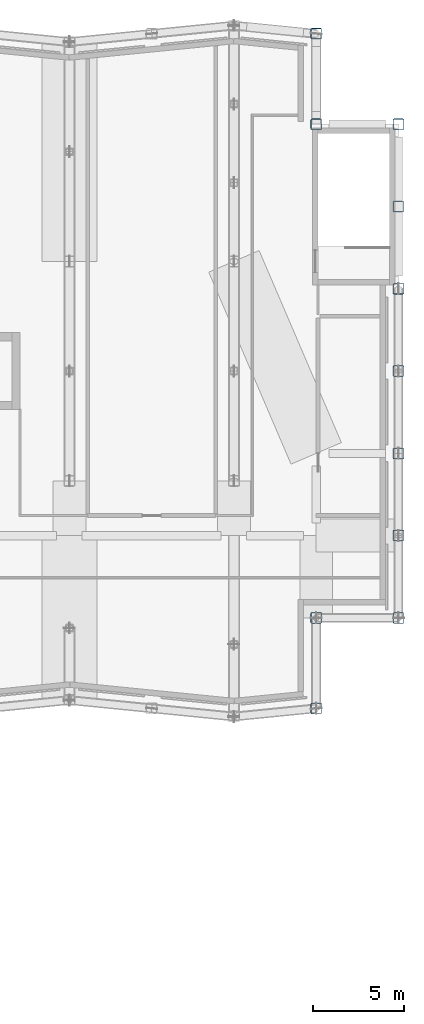
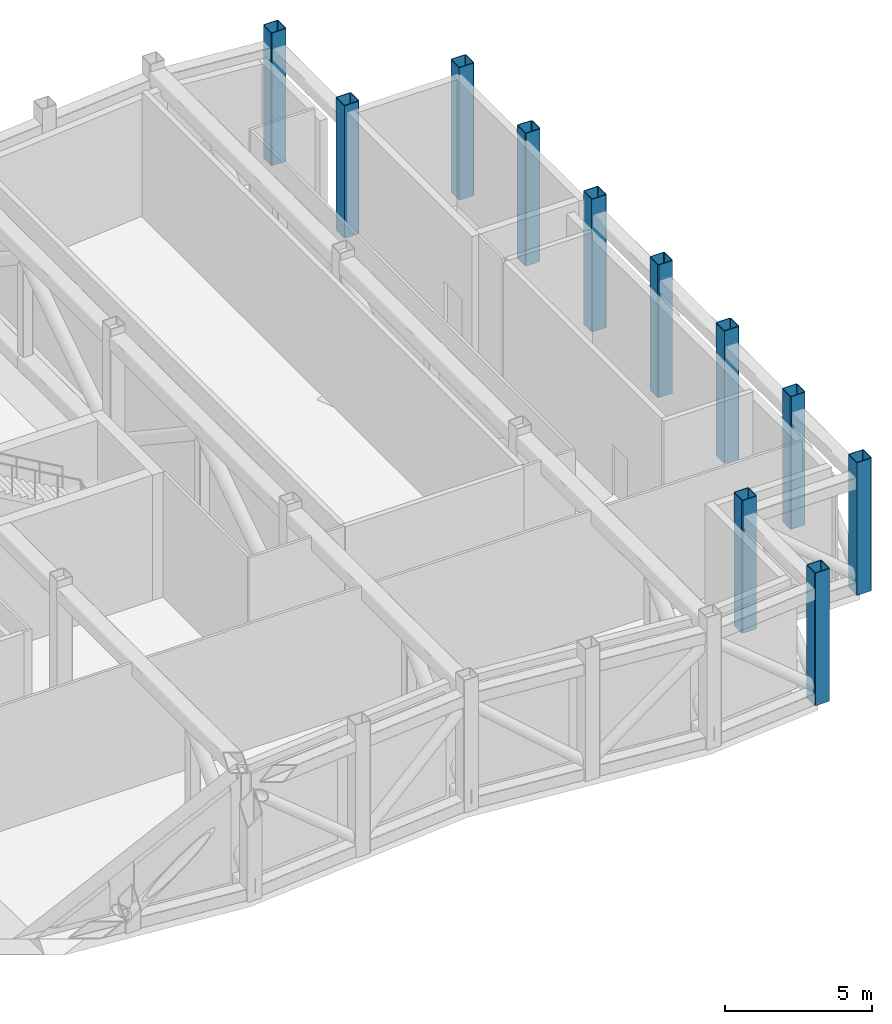
# One storey, part 2 of 22: 11 columns.
"""IFC4 building model written with IfcOpenShell, lengths in metres."""

from ifc_helpers import new_model, si_unit, direction, frame, origin, origin_2d, place, context, subcontext, project, spatial, hollow_rectangle, extrude, material, material_profile, profile_set, type_object, element, save


model = new_model("IFC4")

# Units and contexts
model_context = context("Model", 3, precision=1e-05, world=origin(), true_north=direction((0.0, 1.0)))
body_context = subcontext(model_context, "Body", "Model", "MODEL_VIEW")
ifc_project = project(units=[si_unit("LENGTHUNIT", "METRE"), si_unit("AREAUNIT", "SQUARE_METRE"), si_unit("VOLUMEUNIT", "CUBIC_METRE"), si_unit("PLANEANGLEUNIT", "RADIAN"), si_unit("MASSUNIT", "GRAM", prefix="KILO")], contexts=[model_context])

# Site, building, storey
site_placement = place(None, origin())
site = spatial("IfcSite", under=ifc_project, at=site_placement, CompositionType="ELEMENT")
building_placement = place(site_placement, origin())
building = spatial("IfcBuilding", under=site, at=building_placement, Name="Brondeck Convention Tower", CompositionType="ELEMENT")
storey_placement = place(building_placement, frame((0.0, 0.0, 32.0)))
storey = spatial("IfcBuildingStorey", under=building, at=storey_placement, Name="L05", CompositionType="ELEMENT", Elevation=32.0)

# Columns
ifc_material = material(Name="Steel S460", Category="steel")
ifc_material_profile = material_profile(ifc_material, hollow_rectangle(XDim=0.60009765625, YDim=0.60009765625, WallThickness=0.030029296875, InnerFilletRadius=0.030029296875, OuterFilletRadius=0.06005859375, at=origin_2d()), Name="RHS 600x600x30")
ifc_profile_set = profile_set([ifc_material_profile], Name="Steel S460")
column_type = type_object("IfcColumnType", Name="Transfer post RHS 600x600x30", PredefinedType="COLUMN", material=ifc_profile_set)
for number, where, z_axis, x_axis, name in (
    (1, (67.5, 58.5, 0.0), (0.0, 0.0, 1.0), (1.0, 0.0, 0.0), "Transfer truss post NC-NEA72"),
    (2, (67.5, 31.5, 0.0), (0.0, 0.0, 1.0), (1.0, 0.0, 0.0), "Transfer truss post NC-SEA72"),
    (3, (72.0, 31.5, 0.0), (0.0, 0.0, 1.0), (1.0, 0.0, 0.0), "Transfer truss post PC-A-E72-01"),
    (4, (72.0, 36.0, 0.0), (0.0, 0.0, 1.0), (1.0, 0.0, 0.0), "Transfer truss post PC-A-E72-02"),
    (5, (72.0, 40.5, 0.0), (0.0, 0.0, 1.0), (1.0, 0.0, 0.0), "Transfer truss post PC-A-E72-03"),
    (6, (72.0, 45.0, 0.0), (0.0, 0.0, 1.0), (1.0, 0.0, 0.0), "Transfer truss post PC-A-E72-04"),
    (7, (72.0, 49.5, 0.0), (0.0, 0.0, 1.0), (1.0, 0.0, 0.0), "Transfer truss post PC-A-E72-05"),
    (8, (72.0, 54.0, 0.0), (0.0, 0.0, 1.0), (1.0, 0.0, 0.0), "Transfer truss post PC-A-E72-06"),
    (9, (72.0, 58.5, 0.0), (0.0, 0.0, 1.0), (1.0, 0.0, 0.0), "Transfer truss post PC-A-E72-07"),
    (10, (67.5, 63.449951171875, 0.0), (0.0, 0.0, 1.0), (1.0, 0.0, 0.0), "Transfer truss post PC-A-N-15"),
    (11, (67.5, 26.550048828125, 0.0), (0.0, 0.0, 1.0), (1.0, 0.0, 0.0), "Transfer truss post PC-A-S-07"),
):
    element("IfcColumn", number, at=place(storey_placement, frame(where, z_axis=z_axis, x_axis=x_axis)), inside=storey, type_object=column_type, Name=name, PredefinedType="COLUMN", context=body_context, shape_type="SweptSolid", body=[
        extrude(hollow_rectangle(XDim=0.60009765625, YDim=0.60009765625, WallThickness=0.030029296875, InnerFilletRadius=0.030029296875, OuterFilletRadius=0.06005859375, at=origin_2d()), origin(), (0.0, 0.0, 1.0), 5.5),
    ])

save(model, "model.ifc")
